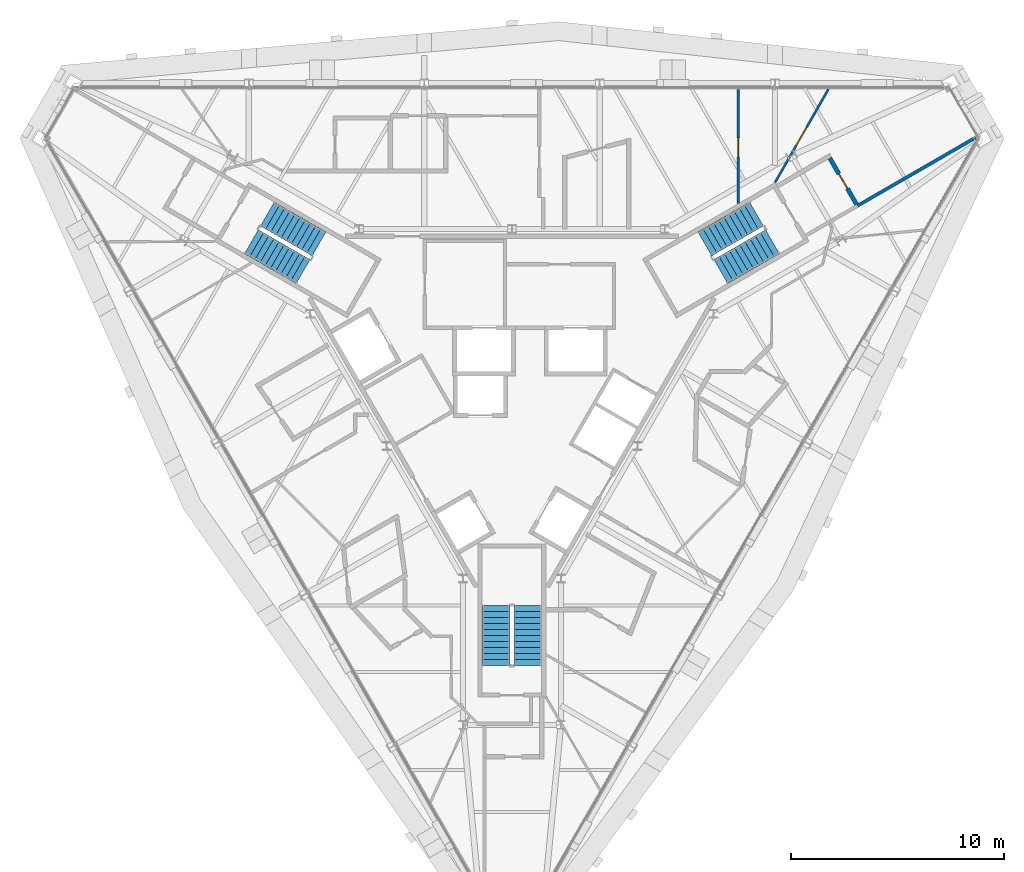
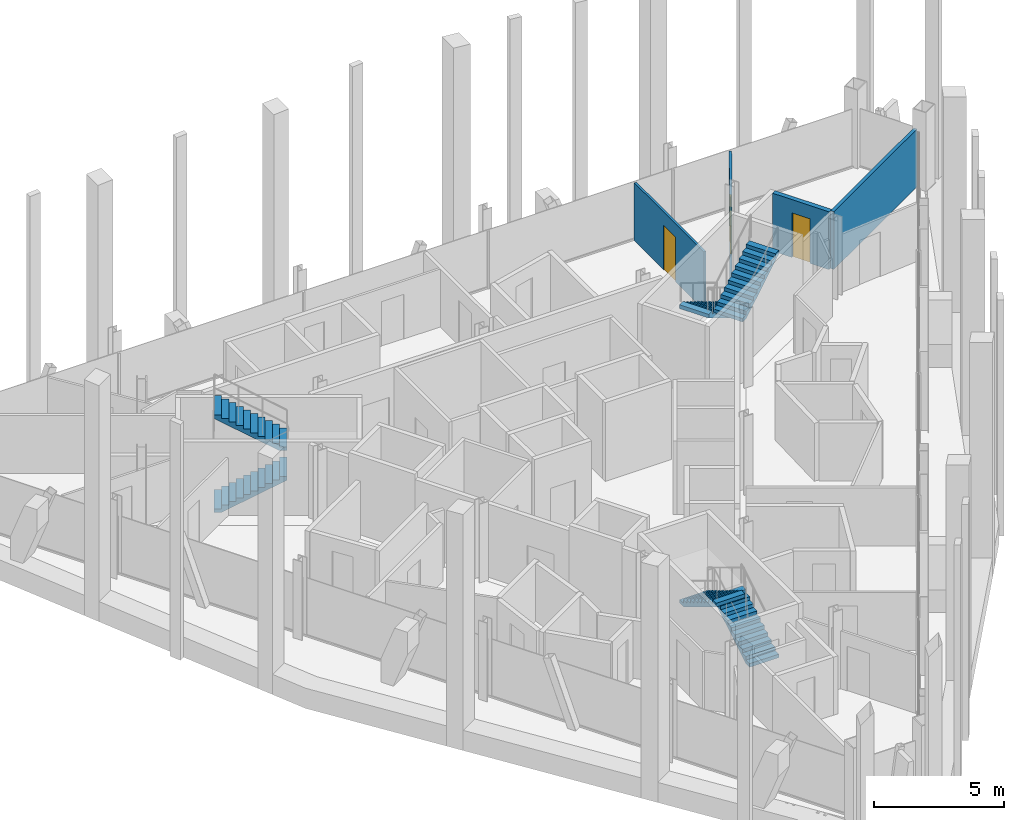
# One storey, part 11 of 13: 6 stair flights, 4 walls, 3 doors, 3 openings, 3 elements without a shape of their own.
"""IFC4 building model written with IfcOpenShell, lengths in metres."""

from ifc_helpers import new_model, si_unit, direction, frame, frame_2d, origin, place, context, subcontext, project, spatial, polyline, rectangle, outline, extrude, material, layer, layer_set, type_object, element, fill, aggregate, save


model = new_model("IFC4")

# Units and contexts
model_context = context("Model", 3, precision=1e-05, world=origin(), true_north=direction((0.0, 1.0)))
body_context = subcontext(model_context, "Body", "Model", "MODEL_VIEW")
ifc_project = project(units=[si_unit("LENGTHUNIT", "METRE"), si_unit("AREAUNIT", "SQUARE_METRE"), si_unit("VOLUMEUNIT", "CUBIC_METRE"), si_unit("PLANEANGLEUNIT", "RADIAN"), si_unit("MASSUNIT", "GRAM", prefix="KILO")], contexts=[model_context])

# Site, building, storey
site_placement = place(None, origin())
site = spatial("IfcSite", under=ifc_project, at=site_placement, CompositionType="ELEMENT")
building_placement = place(site_placement, origin())
building = spatial("IfcBuilding", under=site, at=building_placement, Name="Verrane Prism Tower", CompositionType="ELEMENT")
storey_placement = place(building_placement, frame((0.0, 0.0, 275.10009765625)))
storey = spatial("IfcBuildingStorey", under=building, at=storey_placement, Name="L69", CompositionType="ELEMENT", Elevation=275.10009765625)

# Wall, opening, door
ifc_material_1 = material(Name="Gypsum board partition", Category="other")
ifc_layer_1 = layer(ifc_material_1, 0.10009765625)
ifc_layer_set_1 = layer_set([ifc_layer_1], Name="PW-100 room partition")
wall_type_1 = type_object("IfcWallType", Name="PW-100 room partition", PredefinedType="PARTITIONING", material=ifc_layer_set_1)
wall_1_placement = place(storey_placement, frame((10.631103515625, 13.35107421875, 0.0), z_axis=(0.0, 0.0, 1.0), x_axis=(0.0, -1.0, 0.0)))
wall_1 = element("IfcWall", 1, at=wall_1_placement, inside=storey, type_object=wall_type_1, Name="Room partition 061", PredefinedType="PARTITIONING", context=body_context, shape_type="SweptSolid", body=[
    extrude(rectangle(XDim=5.365966796875, YDim=0.10009765625, at=frame_2d((2.68310546875, 0.0))), origin(), (0.0, 0.0, 1.0), 2.722900390625),
])
opening_1_placement = place(wall_1_placement, frame((2.26611328125, 0.0, 0.0)))
opening_1 = element("IfcOpeningElement", 2, at=opening_1_placement, cuts=wall_1, Name="Opening D69010", PredefinedType="OPENING", context=body_context, shape_type="SweptSolid", body=[
    extrude(rectangle(XDim=0.89990234375, YDim=2.10009765625, at=frame_2d((0.449951171875, 1.050048828125))), frame((0.0, 0.06005859375, 0.0), z_axis=(0.0, -1.0, 0.0), x_axis=(1.0, 0.0, 0.0)), (0.0, 0.0, 1.0), 0.1201171875),
])
ifc_material_2 = material(Name="Timber veneered door leaf", Category="wood")
door_type_1 = type_object("IfcDoorType", Name="DR-900x2100 single leaf inner", OperationType="NOTDEFINED", PredefinedType="DOOR", material=ifc_material_2)
door_1_placement = place(opening_1_placement, origin())
door_1 = element("IfcDoor", 3, at=door_1_placement, inside=storey, type_object=door_type_1, Name="Living And Dining Room door", OperationType="SINGLE_SWING_LEFT", OverallHeight=2.10009765625, OverallWidth=0.89990234375, PredefinedType="DOOR", context=body_context, shape_type="SweptSolid", body=[
    extrude(rectangle(XDim=0.89990234375, YDim=2.10009765625, at=frame_2d((0.449951171875, 1.050048828125))), frame((0.0, 0.02490234375, 0.0), z_axis=(0.0, -1.0, 0.0), x_axis=(1.0, 0.0, 0.0)), (0.0, 0.0, 1.0), 0.050048828125),
])
fill(opening_1, door_1)

wall_2_placement = place(storey_placement, frame((14.867919921875, 13.361572265625, 0.0), z_axis=(0.0, 0.0, 1.0), x_axis=(-0.496681239155, -0.867933031214, 0.0)))
wall_2 = element("IfcWall", 4, at=wall_2_placement, inside=storey, type_object=wall_type_1, Name="Room partition 068", PredefinedType="PARTITIONING", context=body_context, shape_type="SweptSolid", body=[
    extrude(rectangle(XDim=5.041259765625, YDim=0.10009765625, at=frame_2d((2.5205078125, 0.0))), origin(), (0.0, 0.0, 1.0), 2.722900390625),
])
opening_2_placement = place(wall_2_placement, frame((2.041259765625, 0.0, 0.0)))
opening_2 = element("IfcOpeningElement", 5, at=opening_2_placement, cuts=wall_2, Name="Opening D69013", PredefinedType="OPENING", context=body_context, shape_type="SweptSolid", body=[
    extrude(rectangle(XDim=1.0, YDim=2.10009765625, at=frame_2d((0.5, 1.050048828125))), frame((0.0, 0.06005859375, 0.0), z_axis=(0.0, -1.0, 0.0), x_axis=(1.0, 0.0, 0.0)), (0.0, 0.0, 1.0), 0.1201171875),
])
ifc_material_3 = material(Name="Timber veneered door leaf", Category="wood")
door_type_2 = type_object("IfcDoorType", Name="DR-1000x2100 single leaf inner", OperationType="NOTDEFINED", PredefinedType="DOOR", material=ifc_material_3)
door_2_placement = place(opening_2_placement, origin())
door_2 = element("IfcDoor", 6, at=door_2_placement, inside=storey, type_object=door_type_2, Name="Study door", OperationType="SINGLE_SWING_RIGHT", OverallHeight=2.10009765625, OverallWidth=1.0, PredefinedType="DOOR", context=body_context, shape_type="SweptSolid", body=[
    extrude(rectangle(XDim=1.0, YDim=2.10009765625, at=frame_2d((0.5, 1.050048828125))), frame((0.0, 0.02490234375, 0.0), z_axis=(0.0, -1.0, 0.0), x_axis=(1.0, 0.0, 0.0)), (0.0, 0.0, 1.0), 0.050048828125),
])
fill(opening_2, door_2)

# Wall
ifc_material_4 = material(Name="Gypsum board partition", Category="other")
ifc_layer_2 = layer(ifc_material_4, 0.14990234375)
ifc_layer_set_2 = layer_set([ifc_layer_2], Name="PW-150 demising wall 1 h")
wall_type_2 = type_object("IfcWallType", Name="PW-150 demising wall 1 h", PredefinedType="PARTITIONING", material=ifc_layer_set_2)
wall_3_placement = place(storey_placement, frame((16.236083984375, 7.888916015625, 0.0), z_axis=(0.0, 0.0, 1.0), x_axis=(0.865995456094, 0.500051867335, 0.0)))
element("IfcWall", 7, at=wall_3_placement, inside=storey, type_object=wall_type_2, Name="Demising wall 075", PredefinedType="PARTITIONING", context=body_context, shape_type="SweptSolid", body=[
    extrude(rectangle(XDim=6.415283203125, YDim=0.14990234375, at=frame_2d((3.20751953125, 0.0))), origin(), (0.0, 0.0, 1.0), 2.722900390625),
])

# Wall, opening, door
ifc_material_5 = material(Name="Gypsum board partition", Category="other")
ifc_layer_3 = layer(ifc_material_5, 0.199951171875)
ifc_layer_set_3 = layer_set([ifc_layer_3], Name="PW-200 plumbing wall")
wall_type_3 = type_object("IfcWallType", Name="PW-200 plumbing wall", PredefinedType="PARTITIONING", material=ifc_layer_set_3)
wall_4_placement = place(storey_placement, frame((16.193603515625, 7.951904296875, 0.0), z_axis=(0.0, 0.0, 1.0), x_axis=(-0.500039460523, 0.866002620042, 0.0)))
wall_4 = element("IfcWall", 8, at=wall_4_placement, inside=storey, type_object=wall_type_3, Name="Plumbing wall 072", PredefinedType="PARTITIONING", context=body_context, shape_type="SweptSolid", body=[
    extrude(rectangle(XDim=2.510986328125, YDim=0.199951171875, at=frame_2d((1.25537109375, 0.0))), origin(), (0.0, 0.0, 1.0), 2.722900390625),
])
opening_3_placement = place(wall_4_placement, frame((0.86083984375, 0.0, 0.0)))
opening_3 = element("IfcOpeningElement", 9, at=opening_3_placement, cuts=wall_4, Name="Opening D69014", PredefinedType="OPENING", context=body_context, shape_type="SweptSolid", body=[
    extrude(rectangle(XDim=0.800048828125, YDim=2.10009765625, at=frame_2d((0.39990234375, 1.050048828125))), frame((0.0, 0.10986328125, 0.0), z_axis=(0.0, -1.0, 0.0), x_axis=(1.0, 0.0, 0.0)), (0.0, 0.0, 1.0), 0.219970703125),
])
ifc_material_6 = material(Name="Timber veneered door leaf", Category="wood")
door_type_3 = type_object("IfcDoorType", Name="DR-800x2100 single leaf bath", OperationType="NOTDEFINED", PredefinedType="DOOR", material=ifc_material_6)
door_3_placement = place(opening_3_placement, origin())
door_3 = element("IfcDoor", 10, at=door_3_placement, inside=storey, type_object=door_type_3, Name="Master Bathroom door", OperationType="SINGLE_SWING_LEFT", OverallHeight=2.10009765625, OverallWidth=0.800048828125, PredefinedType="DOOR", context=body_context, shape_type="SweptSolid", body=[
    extrude(rectangle(XDim=0.800048828125, YDim=2.10009765625, at=frame_2d((0.39990234375, 1.050048828125))), frame((0.0, 0.02490234375, 0.0), z_axis=(0.0, -1.0, 0.0), x_axis=(1.0, 0.0, 0.0)), (0.0, 0.0, 1.0), 0.050048828125),
])
fill(opening_3, door_3)

# Stair, stair flights
ifc_material_7 = material(Name="Concrete C40/50", Category="concrete")
stair_type = type_object("IfcStairType", Name="Exit stair 1300 dog-leg precast concrete C40/50", PredefinedType="HALF_TURN_STAIR", material=ifc_material_7)
stair_1_placement = place(storey_placement, origin())
stair_1 = element("IfcStair", 11, at=stair_1_placement, inside=storey, type_object=stair_type, Name="Stair 1 L69", PredefinedType="HALF_TURN_STAIR")
ifc_material_8 = material(Name="Concrete C40/50", Category="concrete")
stair_flight_type = type_object("IfcStairFlightType", Name="Stair flight 1300 precast concrete C40/50", PredefinedType="STRAIGHT", material=ifc_material_8)
stair_flight_1_placement = place(storey_placement, frame((11.489501953125, 7.49951171875, 0.0), z_axis=(0.0, 0.0, 1.0), x_axis=(-0.866025403784, -0.5, 0.0)))
stair_flight_1 = element("IfcStairFlight", 12, at=stair_flight_1_placement, type_object=stair_flight_type, Name="Stair 1 flight 1", NumberOfRisers=11, NumberOfTreads=10, PredefinedType="STRAIGHT", RiserHeight=0.168181818, TreadLength=0.28, context=body_context, shape_type="SweptSolid", body=[
    extrude(outline(polyline([(0.0, 0.0), (0.0, 0.168212890625), (0.280029296875, 0.168212890625), (0.280029296875, 0.33642578125), (0.56005859375, 0.33642578125), (0.56005859375, 0.504638671875), (0.840087890625, 0.504638671875), (0.840087890625, 0.672607421875), (1.1201171875, 0.672607421875), (1.1201171875, 0.8408203125), (1.39990234375, 0.8408203125), (1.39990234375, 1.009033203125), (1.679931640625, 1.009033203125), (1.679931640625, 1.17724609375), (1.9599609375, 1.17724609375), (1.9599609375, 1.345458984375), (2.239990234375, 1.345458984375), (2.239990234375, 1.513671875), (2.52001953125, 1.513671875), (2.52001953125, 1.681884765625), (2.800048828125, 1.681884765625), (2.800048828125, 1.85009765625), (2.800048828125, 1.5068359375), (0.291015625, 0.0), (0.0, 0.0)])), frame((0.0, 0.64990234375, 0.0), z_axis=(0.0, -1.0, 0.0), x_axis=(1.0, 0.0, 0.0)), (0.0, 0.0, 1.0), 1.300048828125),
])
stair_flight_2_placement = place(storey_placement, frame((9.814697265625, 4.800537109375, 1.849853515625), z_axis=(0.0, 0.0, 1.0), x_axis=(0.866025403784, 0.5, 0.0)))
stair_flight_2 = element("IfcStairFlight", 13, at=stair_flight_2_placement, type_object=stair_flight_type, Name="Stair 1 flight 2", NumberOfRisers=11, NumberOfTreads=10, PredefinedType="STRAIGHT", RiserHeight=0.168181818, TreadLength=0.28, context=body_context, shape_type="SweptSolid", body=[
    extrude(outline(polyline([(0.0, 0.0), (0.0, 0.168212890625), (0.280029296875, 0.168212890625), (0.280029296875, 0.33642578125), (0.56005859375, 0.33642578125), (0.56005859375, 0.504638671875), (0.840087890625, 0.504638671875), (0.840087890625, 0.672607421875), (1.1201171875, 0.672607421875), (1.1201171875, 0.8408203125), (1.39990234375, 0.8408203125), (1.39990234375, 1.009033203125), (1.679931640625, 1.009033203125), (1.679931640625, 1.17724609375), (1.9599609375, 1.17724609375), (1.9599609375, 1.345458984375), (2.239990234375, 1.345458984375), (2.239990234375, 1.513671875), (2.52001953125, 1.513671875), (2.52001953125, 1.681884765625), (2.800048828125, 1.681884765625), (2.800048828125, 1.85009765625), (2.800048828125, 1.5068359375), (0.291015625, 0.0), (0.0, 0.0)])), frame((0.0, 0.64990234375, 0.0), z_axis=(0.0, -1.0, 0.0), x_axis=(1.0, 0.0, 0.0)), (0.0, 0.0, 1.0), 1.300048828125),
])
aggregate(stair_1, [stair_flight_1, stair_flight_2])

stair_2_placement = place(storey_placement, origin())
stair_2 = element("IfcStair", 14, at=stair_2_placement, inside=storey, type_object=stair_type, Name="Stair 2 L69", PredefinedType="HALF_TURN_STAIR")
stair_flight_3_placement = place(storey_placement, frame((-12.239501953125, 6.200439453125, 0.0), z_axis=(0.0, 0.0, 1.0), x_axis=(0.866025403784, -0.5, 0.0)))
stair_flight_3 = element("IfcStairFlight", 15, at=stair_flight_3_placement, type_object=stair_flight_type, Name="Stair 2 flight 1", NumberOfRisers=11, NumberOfTreads=10, PredefinedType="STRAIGHT", RiserHeight=0.168181818, TreadLength=0.28, context=body_context, shape_type="SweptSolid", body=[
    extrude(outline(polyline([(0.0, 0.0), (0.0, 0.168212890625), (0.280029296875, 0.168212890625), (0.280029296875, 0.33642578125), (0.56005859375, 0.33642578125), (0.56005859375, 0.504638671875), (0.840087890625, 0.504638671875), (0.840087890625, 0.672607421875), (1.1201171875, 0.672607421875), (1.1201171875, 0.8408203125), (1.39990234375, 0.8408203125), (1.39990234375, 1.009033203125), (1.679931640625, 1.009033203125), (1.679931640625, 1.17724609375), (1.9599609375, 1.17724609375), (1.9599609375, 1.345458984375), (2.239990234375, 1.345458984375), (2.239990234375, 1.513671875), (2.52001953125, 1.513671875), (2.52001953125, 1.681884765625), (2.800048828125, 1.681884765625), (2.800048828125, 1.85009765625), (2.800048828125, 1.5068359375), (0.291015625, 0.0), (0.0, 0.0)])), frame((0.0, 0.64990234375, 0.0), z_axis=(0.0, -1.0, 0.0), x_axis=(1.0, 0.0, 0.0)), (0.0, 0.0, 1.0), 1.300048828125),
])
stair_flight_4_placement = place(storey_placement, frame((-9.064697265625, 6.099609375, 1.849853515625), z_axis=(0.0, 0.0, 1.0), x_axis=(-0.866025403784, 0.5, 0.0)))
stair_flight_4 = element("IfcStairFlight", 16, at=stair_flight_4_placement, type_object=stair_flight_type, Name="Stair 2 flight 2", NumberOfRisers=11, NumberOfTreads=10, PredefinedType="STRAIGHT", RiserHeight=0.168181818, TreadLength=0.28, context=body_context, shape_type="SweptSolid", body=[
    extrude(outline(polyline([(0.0, 0.0), (0.0, 0.168212890625), (0.280029296875, 0.168212890625), (0.280029296875, 0.33642578125), (0.56005859375, 0.33642578125), (0.56005859375, 0.504638671875), (0.840087890625, 0.504638671875), (0.840087890625, 0.672607421875), (1.1201171875, 0.672607421875), (1.1201171875, 0.8408203125), (1.39990234375, 0.8408203125), (1.39990234375, 1.009033203125), (1.679931640625, 1.009033203125), (1.679931640625, 1.17724609375), (1.9599609375, 1.17724609375), (1.9599609375, 1.345458984375), (2.239990234375, 1.345458984375), (2.239990234375, 1.513671875), (2.52001953125, 1.513671875), (2.52001953125, 1.681884765625), (2.800048828125, 1.681884765625), (2.800048828125, 1.85009765625), (2.800048828125, 1.5068359375), (0.291015625, 0.0), (0.0, 0.0)])), frame((0.0, 0.64990234375, 0.0), z_axis=(0.0, -1.0, 0.0), x_axis=(1.0, 0.0, 0.0)), (0.0, 0.0, 1.0), 1.300048828125),
])
aggregate(stair_2, [stair_flight_3, stair_flight_4])

stair_3_placement = place(storey_placement, origin())
stair_3 = element("IfcStair", 17, at=stair_3_placement, inside=storey, type_object=stair_type, Name="Stair 3 L69", PredefinedType="HALF_TURN_STAIR")
stair_flight_5_placement = place(storey_placement, frame((0.75, -13.699951171875, 0.0), z_axis=(0.0, 0.0, 1.0), x_axis=(0.0, 1.0, 0.0)))
stair_flight_5 = element("IfcStairFlight", 18, at=stair_flight_5_placement, type_object=stair_flight_type, Name="Stair 3 flight 1", NumberOfRisers=11, NumberOfTreads=10, PredefinedType="STRAIGHT", RiserHeight=0.168181818, TreadLength=0.28, context=body_context, shape_type="SweptSolid", body=[
    extrude(outline(polyline([(0.0, 0.0), (0.0, 0.168212890625), (0.280029296875, 0.168212890625), (0.280029296875, 0.33642578125), (0.56005859375, 0.33642578125), (0.56005859375, 0.504638671875), (0.840087890625, 0.504638671875), (0.840087890625, 0.672607421875), (1.1201171875, 0.672607421875), (1.1201171875, 0.8408203125), (1.39990234375, 0.8408203125), (1.39990234375, 1.009033203125), (1.679931640625, 1.009033203125), (1.679931640625, 1.17724609375), (1.9599609375, 1.17724609375), (1.9599609375, 1.345458984375), (2.239990234375, 1.345458984375), (2.239990234375, 1.513671875), (2.52001953125, 1.513671875), (2.52001953125, 1.681884765625), (2.800048828125, 1.681884765625), (2.800048828125, 1.85009765625), (2.800048828125, 1.5068359375), (0.291015625, 0.0), (0.0, 0.0)])), frame((0.0, 0.64990234375, 0.0), z_axis=(0.0, -1.0, 0.0), x_axis=(1.0, 0.0, 0.0)), (0.0, 0.0, 1.0), 1.300048828125),
])
stair_flight_6_placement = place(storey_placement, frame((-0.75, -10.89990234375, 1.849853515625), z_axis=(0.0, 0.0, 1.0), x_axis=(0.0, -1.0, 0.0)))
stair_flight_6 = element("IfcStairFlight", 19, at=stair_flight_6_placement, type_object=stair_flight_type, Name="Stair 3 flight 2", NumberOfRisers=11, NumberOfTreads=10, PredefinedType="STRAIGHT", RiserHeight=0.168181818, TreadLength=0.28, context=body_context, shape_type="SweptSolid", body=[
    extrude(outline(polyline([(0.0, 0.0), (0.0, 0.168212890625), (0.280029296875, 0.168212890625), (0.280029296875, 0.33642578125), (0.56005859375, 0.33642578125), (0.56005859375, 0.504638671875), (0.840087890625, 0.504638671875), (0.840087890625, 0.672607421875), (1.1201171875, 0.672607421875), (1.1201171875, 0.8408203125), (1.39990234375, 0.8408203125), (1.39990234375, 1.009033203125), (1.679931640625, 1.009033203125), (1.679931640625, 1.17724609375), (1.9599609375, 1.17724609375), (1.9599609375, 1.345458984375), (2.239990234375, 1.345458984375), (2.239990234375, 1.513671875), (2.52001953125, 1.513671875), (2.52001953125, 1.681884765625), (2.800048828125, 1.681884765625), (2.800048828125, 1.85009765625), (2.800048828125, 1.5068359375), (0.291015625, 0.0), (0.0, 0.0)])), frame((0.0, 0.64990234375, 0.0), z_axis=(0.0, -1.0, 0.0), x_axis=(1.0, 0.0, 0.0)), (0.0, 0.0, 1.0), 1.300048828125),
])
aggregate(stair_3, [stair_flight_5, stair_flight_6])

save(model, "model.ifc")
